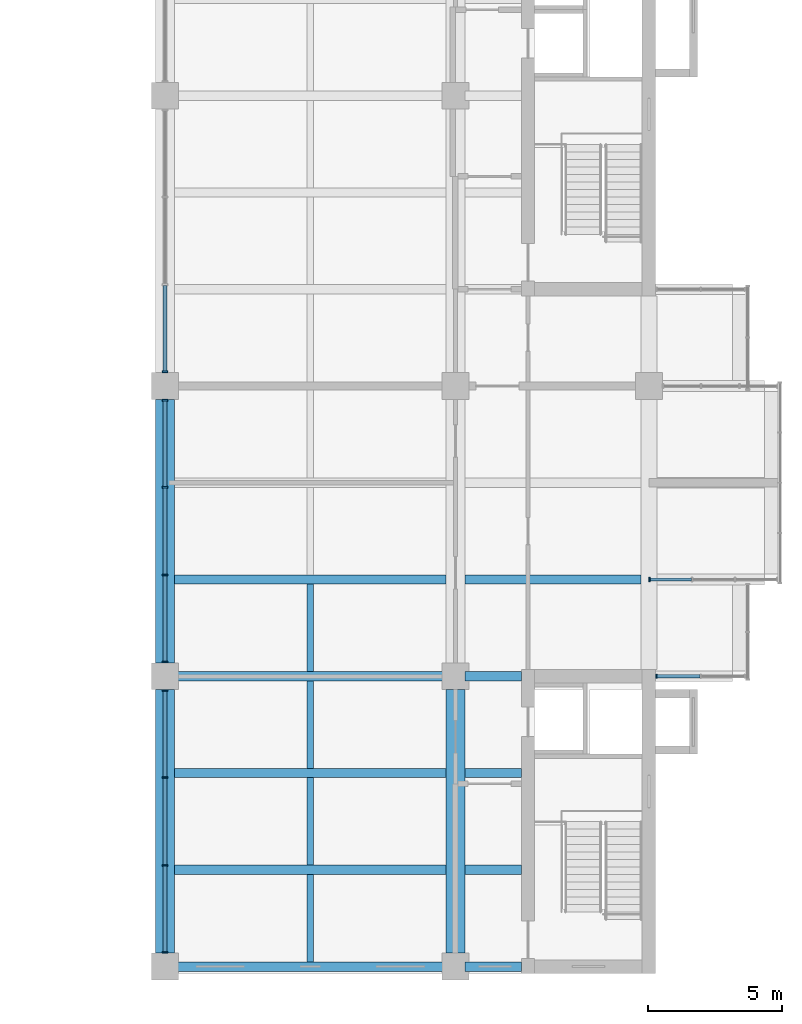
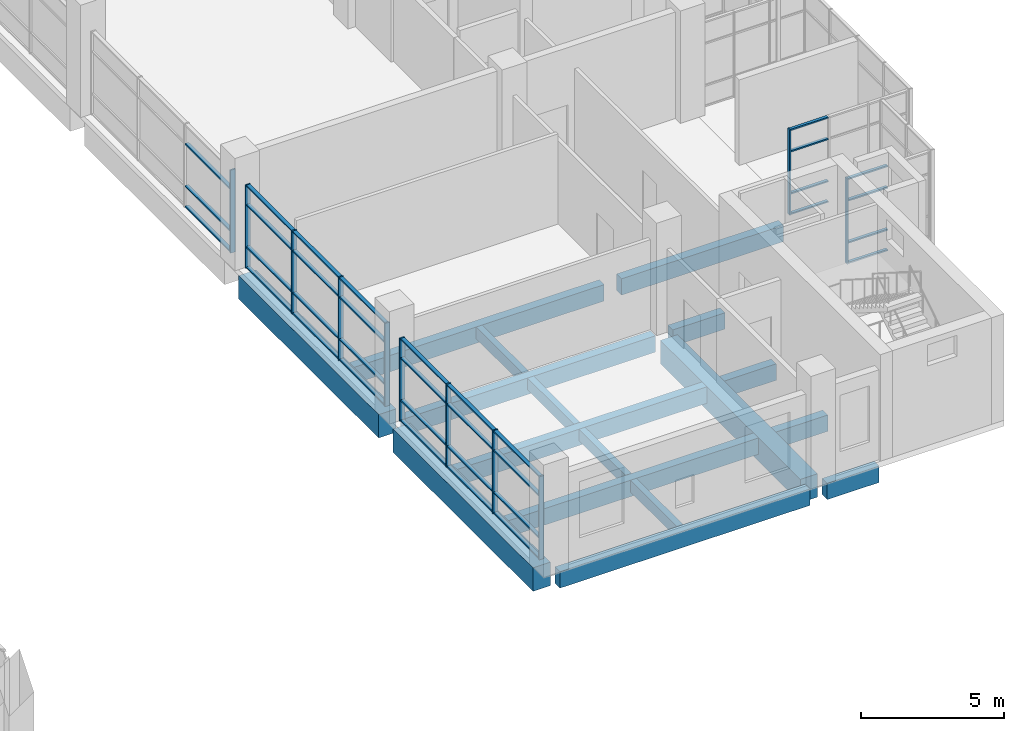
# One storey, part 5 of 30: 46 members, 17 beams, 5 elements without a shape of their own.
"""IFC4 building model written with IfcOpenShell, lengths in metres."""

from ifc_helpers import new_model, si_unit, direction, frame, origin, origin_2d, place, context, subcontext, project, spatial, rectangle, extrude, material, layer, layer_set, material_profile, profile_set, type_object, element, aggregate, save


model = new_model("IFC4")

# Units and contexts
model_context = context("Model", 3, precision=1e-05, world=origin(), true_north=direction((0.0, 1.0)))
body_context = subcontext(model_context, "Body", "Model", "MODEL_VIEW")
ifc_project = project(units=[si_unit("LENGTHUNIT", "METRE"), si_unit("AREAUNIT", "SQUARE_METRE"), si_unit("VOLUMEUNIT", "CUBIC_METRE"), si_unit("PLANEANGLEUNIT", "RADIAN"), si_unit("MASSUNIT", "GRAM", prefix="KILO")], contexts=[model_context])

# Site, building, storey
site_placement = place(None, origin())
site = spatial("IfcSite", under=ifc_project, at=site_placement, CompositionType="ELEMENT")
building_placement = place(site_placement, origin())
building = spatial("IfcBuilding", under=site, at=building_placement, Name="Basin Gate Institute", CompositionType="ELEMENT")
storey_placement = place(building_placement, frame((0.0, 0.0, 36.60009765625)))
storey = spatial("IfcBuildingStorey", under=building, at=storey_placement, Name="L07", CompositionType="ELEMENT", Elevation=36.60009765625)

# Beams
ifc_material_1 = material(Name="Concrete 40 MPa", Category="concrete")
ifc_material_profile_1 = material_profile(ifc_material_1, rectangle(XDim=0.35009765625, YDim=0.699951171875, at=origin_2d()), Name="Beam B1 350 x 700")
ifc_profile_set_1 = profile_set([ifc_material_profile_1], Name="Concrete 40 MPa")
beam_type_1 = type_object("IfcBeamType", Name="Beam B1 R120", PredefinedType="BEAM", material=ifc_profile_set_1)
beam_1_placement = place(storey_placement, frame((111.25, 35.10009765625, -0.60009765625), z_axis=(-1.0, 0.0, 0.0), x_axis=(0.0, -1.0, 0.0)))
element("IfcBeam", 1, at=beam_1_placement, inside=storey, type_object=beam_type_1, material=ifc_profile_set_1, Name="BEAM/L07/E/EW/01", PredefinedType="BEAM", context=body_context, shape_type="SweptSolid", body=[
    extrude(rectangle(XDim=0.35009765625, YDim=0.699951171875, at=origin_2d()), origin(), (0.0, 0.0, 1.0), 10.10009765625),
])
beam_2_placement = place(storey_placement, frame((114.050048828125, 35.10009765625, -0.60009765625), z_axis=(-1.0, 0.0, 0.0), x_axis=(0.0, -1.0, 0.0)))
element("IfcBeam", 2, at=beam_2_placement, inside=storey, type_object=beam_type_1, material=ifc_profile_set_1, Name="BEAM/L07/E/CORR/01", PredefinedType="BEAM", context=body_context, shape_type="SweptSolid", body=[
    extrude(rectangle(XDim=0.35009765625, YDim=0.699951171875, at=origin_2d()), origin(), (0.0, 0.0, 1.0), 2.10009765625),
])
beam_3_placement = place(storey_placement, frame((111.25, 38.699951171875, -0.60009765625), z_axis=(-1.0, 0.0, 0.0), x_axis=(0.0, -1.0, 0.0)))
element("IfcBeam", 3, at=beam_3_placement, inside=storey, type_object=beam_type_1, material=ifc_profile_set_1, Name="BEAM/L07/E/EW/02", PredefinedType="BEAM", context=body_context, shape_type="SweptSolid", body=[
    extrude(rectangle(XDim=0.35009765625, YDim=0.699951171875, at=origin_2d()), origin(), (0.0, 0.0, 1.0), 10.10009765625),
])
beam_4_placement = place(storey_placement, frame((114.050048828125, 38.699951171875, -0.60009765625), z_axis=(-1.0, 0.0, 0.0), x_axis=(0.0, -1.0, 0.0)))
element("IfcBeam", 4, at=beam_4_placement, inside=storey, type_object=beam_type_1, material=ifc_profile_set_1, Name="BEAM/L07/E/CORR/02", PredefinedType="BEAM", context=body_context, shape_type="SweptSolid", body=[
    extrude(rectangle(XDim=0.35009765625, YDim=0.699951171875, at=origin_2d()), origin(), (0.0, 0.0, 1.0), 2.10009765625),
])
beam_5_placement = place(storey_placement, frame((111.25, 42.300048828125, -0.60009765625), z_axis=(-1.0, 0.0, 0.0), x_axis=(0.0, -1.0, 0.0)))
element("IfcBeam", 5, at=beam_5_placement, inside=storey, type_object=beam_type_1, material=ifc_profile_set_1, Name="BEAM/L07/E/EW/03", PredefinedType="BEAM", context=body_context, shape_type="SweptSolid", body=[
    extrude(rectangle(XDim=0.35009765625, YDim=0.699951171875, at=origin_2d()), origin(), (0.0, 0.0, 1.0), 10.10009765625),
])
beam_6_placement = place(storey_placement, frame((114.050048828125, 42.300048828125, -0.60009765625), z_axis=(-1.0, 0.0, 0.0), x_axis=(0.0, -1.0, 0.0)))
element("IfcBeam", 6, at=beam_6_placement, inside=storey, type_object=beam_type_1, material=ifc_profile_set_1, Name="BEAM/L07/E/CORR/03", PredefinedType="BEAM", context=body_context, shape_type="SweptSolid", body=[
    extrude(rectangle(XDim=0.35009765625, YDim=0.699951171875, at=origin_2d()), origin(), (0.0, 0.0, 1.0), 2.10009765625),
])
beam_7_placement = place(storey_placement, frame((111.25, 45.89990234375, -0.60009765625), z_axis=(-1.0, 0.0, 0.0), x_axis=(0.0, -1.0, 0.0)))
element("IfcBeam", 7, at=beam_7_placement, inside=storey, type_object=beam_type_1, material=ifc_profile_set_1, Name="BEAM/L07/E/EW/04", PredefinedType="BEAM", context=body_context, shape_type="SweptSolid", body=[
    extrude(rectangle(XDim=0.35009765625, YDim=0.699951171875, at=origin_2d()), origin(), (0.0, 0.0, 1.0), 10.10009765625),
])
beam_8_placement = place(storey_placement, frame((114.050048828125, 45.89990234375, -0.60009765625), z_axis=(-1.0, 0.0, 0.0), x_axis=(0.0, -1.0, 0.0)))
element("IfcBeam", 8, at=beam_8_placement, inside=storey, type_object=beam_type_1, material=ifc_profile_set_1, Name="BEAM/L07/E/CORR/04", PredefinedType="BEAM", context=body_context, shape_type="SweptSolid", body=[
    extrude(rectangle(XDim=0.35009765625, YDim=0.699951171875, at=origin_2d()), origin(), (0.0, 0.0, 1.0), 2.10009765625),
])
beam_9_placement = place(storey_placement, frame((111.25, 49.5, -0.60009765625), z_axis=(-1.0, 0.0, 0.0), x_axis=(0.0, -1.0, 0.0)))
element("IfcBeam", 9, at=beam_9_placement, inside=storey, type_object=beam_type_1, material=ifc_profile_set_1, Name="BEAM/L07/E/EW/05", PredefinedType="BEAM", context=body_context, shape_type="SweptSolid", body=[
    extrude(rectangle(XDim=0.35009765625, YDim=0.699951171875, at=origin_2d()), origin(), (0.0, 0.0, 1.0), 10.10009765625),
])
beam_10_placement = place(storey_placement, frame((118.5, 49.5, -0.60009765625), z_axis=(-1.0, 0.0, 0.0), x_axis=(0.0, -1.0, 0.0)))
element("IfcBeam", 10, at=beam_10_placement, inside=storey, type_object=beam_type_1, material=ifc_profile_set_1, Name="BEAM/L07/E/OUT/05", PredefinedType="BEAM", context=body_context, shape_type="SweptSolid", body=[
    extrude(rectangle(XDim=0.35009765625, YDim=0.699951171875, at=origin_2d()), origin(), (0.0, 0.0, 1.0), 6.550048828125),
])
ifc_material_2 = material(Name="Concrete 50 MPa", Category="concrete")
ifc_material_profile_2 = material_profile(ifc_material_2, rectangle(XDim=0.699951171875, YDim=1.0, at=origin_2d()), Name="Girder G1 700 x 1000")
ifc_profile_set_2 = profile_set([ifc_material_profile_2], Name="Concrete 50 MPa")
beam_type_2 = type_object("IfcBeamType", Name="Girder G1 R120", PredefinedType="BEAM", material=ifc_profile_set_2)
for number, where, z_axis, x_axis, name in (
    (11, (111.60009765625, 35.60009765625, -0.75), (0.0, 1.0, 0.0), (-1.0, 0.0, 0.0), "GIR/L07/E8/1"),
    (12, (100.800048828125, 35.60009765625, -0.75), (0.0, 1.0, 0.0), (-1.0, 0.0, 0.0), "GIR/L07/E7/1"),
):
    element("IfcBeam", number, at=place(storey_placement, frame(where, z_axis=z_axis, x_axis=x_axis)), inside=storey, type_object=beam_type_2, material=ifc_profile_set_2, Name=name, PredefinedType="BEAM", context=body_context, shape_type="SweptSolid", body=[
        extrude(rectangle(XDim=0.699951171875, YDim=1.0, at=origin_2d()), origin(), (0.0, 0.0, 1.0), 9.7998046875),
    ])
beam_11_placement = place(storey_placement, frame((100.800048828125, 46.39990234375, -0.75), z_axis=(0.0, 1.0, 0.0), x_axis=(-1.0, 0.0, 0.0)))
element("IfcBeam", 13, at=beam_11_placement, inside=storey, type_object=beam_type_2, material=ifc_profile_set_2, Name="GIR/L07/E7/2", PredefinedType="BEAM", context=body_context, shape_type="SweptSolid", body=[
    extrude(rectangle(XDim=0.699951171875, YDim=1.0, at=origin_2d()), origin(), (0.0, 0.0, 1.0), 9.800048828125),
])

# Curtain wall, member
ifc_material_3 = material(Name="Aluminium-framed glazing", Category="aluminium")
ifc_layer_1 = layer(ifc_material_3, 0.14990234375)
ifc_layer_set_1 = layer_set([ifc_layer_1], Name="Capsule front curtain wall CW1")
curtain_wall_type_1 = type_object("IfcCurtainWallType", Name="Capsule front curtain wall CW1", PredefinedType="NOTDEFINED", material=ifc_layer_set_1)
curtain_wall_1_placement = place(storey_placement, origin())
curtain_wall_1 = element("IfcCurtainWall", 14, at=curtain_wall_1_placement, inside=storey, type_object=curtain_wall_type_1, material=ifc_layer_set_1, Name="Capsule front curtain wall E wing capsule end L07 line 4", PredefinedType="NOTDEFINED")
ifc_material_4 = material(Name="Aluminium", Category="aluminium")
ifc_material_profile_3 = material_profile(ifc_material_4, rectangle(XDim=0.14990234375, YDim=0.050048828125, at=origin_2d()), Name="Mullion MU1 150 x 50")
ifc_profile_set_3 = profile_set([ifc_material_profile_3], Name="Aluminium")
member_type_1 = type_object("IfcMemberType", Name="Mullion MU1", PredefinedType="MULLION", material=ifc_profile_set_3)
member_1_placement = place(storey_placement, frame((119.074951171875, 45.89990234375, 0.0), z_axis=(0.0, 0.0, 1.0), x_axis=(0.0, -1.0, 0.0)))
member_1 = element("IfcMember", 15, at=member_1_placement, type_object=member_type_1, material=ifc_profile_set_3, Name="CW1 mullion 3", PredefinedType="MULLION", context=body_context, shape_type="SweptSolid", body=[
    extrude(rectangle(XDim=0.14990234375, YDim=0.050048828125, at=origin_2d()), origin(), (0.0, 0.0, 1.0), 3.64990234375),
])

curtain_wall_2_placement = place(storey_placement, origin())
curtain_wall_2 = element("IfcCurtainWall", 16, at=curtain_wall_2_placement, inside=storey, type_object=curtain_wall_type_1, material=ifc_layer_set_1, Name="Capsule front curtain wall E wing capsule end L07 line 5", PredefinedType="NOTDEFINED")
member_2_placement = place(storey_placement, frame((118.824951171875, 49.5, 0.0), z_axis=(0.0, 0.0, 1.0), x_axis=(0.0, -1.0, 0.0)))
member_2 = element("IfcMember", 17, at=member_2_placement, type_object=member_type_1, material=ifc_profile_set_3, Name="CW1 mullion 4", PredefinedType="MULLION", context=body_context, shape_type="SweptSolid", body=[
    extrude(rectangle(XDim=0.14990234375, YDim=0.050048828125, at=origin_2d()), origin(), (0.0, 0.0, 1.0), 3.64990234375),
])

# Curtain wall, members
ifc_material_5 = material(Name="Aluminium-framed glazing", Category="aluminium")
ifc_layer_2 = layer(ifc_material_5, 0.199951171875)
ifc_layer_set_2 = layer_set([ifc_layer_2], Name="Atrium curtain wall CW2")
curtain_wall_type_2 = type_object("IfcCurtainWallType", Name="Atrium curtain wall CW2", PredefinedType="NOTDEFINED", material=ifc_layer_set_2)
curtain_wall_3_placement = place(storey_placement, origin())
curtain_wall_3 = element("IfcCurtainWall", 18, at=curtain_wall_3_placement, inside=storey, type_object=curtain_wall_type_2, material=ifc_layer_set_2, Name="Atrium curtain wall E wing atrium bay 1 L07", PredefinedType="NOTDEFINED")
ifc_material_6 = material(Name="Aluminium", Category="aluminium")
ifc_material_profile_4 = material_profile(ifc_material_6, rectangle(XDim=0.199951171875, YDim=0.06005859375, at=origin_2d()), Name="Mullion MU2 200 x 60")
ifc_profile_set_4 = profile_set([ifc_material_profile_4], Name="Aluminium")
member_type_2 = type_object("IfcMemberType", Name="Mullion MU2", PredefinedType="MULLION", material=ifc_profile_set_4)
member_3_placement = place(storey_placement, frame((100.800048828125, 35.6298828125, 0.0), z_axis=(0.0, 0.0, 1.0), x_axis=(-1.0, 0.0, 0.0)))
member_3 = element("IfcMember", 19, at=member_3_placement, type_object=member_type_2, material=ifc_profile_set_4, Name="CW2 mullion 1", PredefinedType="MULLION", context=body_context, shape_type="SweptSolid", body=[
    extrude(rectangle(XDim=0.199951171875, YDim=0.06005859375, at=origin_2d()), origin(), (0.0, 0.0, 1.0), 3.5498046875),
])
member_4_placement = place(storey_placement, frame((100.800048828125, 38.86669921875, 0.0), z_axis=(0.0, 0.0, 1.0), x_axis=(-1.0, 0.0, 0.0)))
member_4 = element("IfcMember", 20, at=member_4_placement, type_object=member_type_2, material=ifc_profile_set_4, Name="CW2 mullion 2", PredefinedType="MULLION", context=body_context, shape_type="SweptSolid", body=[
    extrude(rectangle(XDim=0.199951171875, YDim=0.06005859375, at=origin_2d()), origin(), (0.0, 0.0, 1.0), 3.5498046875),
])
member_5_placement = place(storey_placement, frame((100.800048828125, 42.13330078125, 0.0), z_axis=(0.0, 0.0, 1.0), x_axis=(-1.0, 0.0, 0.0)))
member_5 = element("IfcMember", 21, at=member_5_placement, type_object=member_type_2, material=ifc_profile_set_4, Name="CW2 mullion 3", PredefinedType="MULLION", context=body_context, shape_type="SweptSolid", body=[
    extrude(rectangle(XDim=0.199951171875, YDim=0.06005859375, at=origin_2d()), origin(), (0.0, 0.0, 1.0), 3.5498046875),
])
member_6_placement = place(storey_placement, frame((100.800048828125, 45.3701171875, 0.0), z_axis=(0.0, 0.0, 1.0), x_axis=(-1.0, 0.0, 0.0)))
member_6 = element("IfcMember", 22, at=member_6_placement, type_object=member_type_2, material=ifc_profile_set_4, Name="CW2 mullion 4", PredefinedType="MULLION", context=body_context, shape_type="SweptSolid", body=[
    extrude(rectangle(XDim=0.199951171875, YDim=0.06005859375, at=origin_2d()), origin(), (0.0, 0.0, 1.0), 3.5498046875),
])

curtain_wall_4_placement = place(storey_placement, origin())
curtain_wall_4 = element("IfcCurtainWall", 23, at=curtain_wall_4_placement, inside=storey, type_object=curtain_wall_type_2, material=ifc_layer_set_2, Name="Atrium curtain wall E wing atrium bay 2 L07", PredefinedType="NOTDEFINED")
member_7_placement = place(storey_placement, frame((100.800048828125, 46.429931640625, 0.0), z_axis=(0.0, 0.0, 1.0), x_axis=(-1.0, 0.0, 0.0)))
member_7 = element("IfcMember", 24, at=member_7_placement, type_object=member_type_2, material=ifc_profile_set_4, Name="CW2 mullion 1", PredefinedType="MULLION", context=body_context, shape_type="SweptSolid", body=[
    extrude(rectangle(XDim=0.199951171875, YDim=0.06005859375, at=origin_2d()), origin(), (0.0, 0.0, 1.0), 3.5498046875),
])
member_8_placement = place(storey_placement, frame((100.800048828125, 49.666748046875, 0.0), z_axis=(0.0, 0.0, 1.0), x_axis=(-1.0, 0.0, 0.0)))
member_8 = element("IfcMember", 25, at=member_8_placement, type_object=member_type_2, material=ifc_profile_set_4, Name="CW2 mullion 2", PredefinedType="MULLION", context=body_context, shape_type="SweptSolid", body=[
    extrude(rectangle(XDim=0.199951171875, YDim=0.06005859375, at=origin_2d()), origin(), (0.0, 0.0, 1.0), 3.5498046875),
])
member_9_placement = place(storey_placement, frame((100.800048828125, 52.933349609375, 0.0), z_axis=(0.0, 0.0, 1.0), x_axis=(-1.0, 0.0, 0.0)))
member_9 = element("IfcMember", 26, at=member_9_placement, type_object=member_type_2, material=ifc_profile_set_4, Name="CW2 mullion 3", PredefinedType="MULLION", context=body_context, shape_type="SweptSolid", body=[
    extrude(rectangle(XDim=0.199951171875, YDim=0.06005859375, at=origin_2d()), origin(), (0.0, 0.0, 1.0), 3.5498046875),
])
member_10_placement = place(storey_placement, frame((100.800048828125, 56.169921875, 0.0), z_axis=(0.0, 0.0, 1.0), x_axis=(-1.0, 0.0, 0.0)))
member_10 = element("IfcMember", 27, at=member_10_placement, type_object=member_type_2, material=ifc_profile_set_4, Name="CW2 mullion 4", PredefinedType="MULLION", context=body_context, shape_type="SweptSolid", body=[
    extrude(rectangle(XDim=0.199951171875, YDim=0.06005859375, at=origin_2d()), origin(), (0.0, 0.0, 1.0), 3.5498046875),
])

# Curtain wall, member
curtain_wall_5_placement = place(storey_placement, origin())
curtain_wall_5 = element("IfcCurtainWall", 28, at=curtain_wall_5_placement, inside=storey, type_object=curtain_wall_type_2, material=ifc_layer_set_2, Name="Atrium curtain wall E wing atrium bay 3 L07", PredefinedType="NOTDEFINED")
member_11_placement = place(storey_placement, frame((100.800048828125, 57.22998046875, 0.0), z_axis=(0.0, 0.0, 1.0), x_axis=(-1.0, 0.0, 0.0)))
member_11 = element("IfcMember", 29, at=member_11_placement, type_object=member_type_2, material=ifc_profile_set_4, Name="CW2 mullion 1", PredefinedType="MULLION", context=body_context, shape_type="SweptSolid", body=[
    extrude(rectangle(XDim=0.199951171875, YDim=0.06005859375, at=origin_2d()), origin(), (0.0, 0.0, 1.0), 3.5498046875),
])

# Beams
ifc_material_7 = material(Name="Concrete 40 MPa", Category="concrete")
ifc_material_profile_5 = material_profile(ifc_material_7, rectangle(XDim=0.25, YDim=0.5, at=origin_2d()), Name="Rib R1 250 x 500")
ifc_profile_set_5 = profile_set([ifc_material_profile_5], Name="Concrete 40 MPa")
beam_type_3 = type_object("IfcBeamType", Name="Rib R1 R120", PredefinedType="JOIST", material=ifc_profile_set_5)
for number, where, z_axis, x_axis, name in (
    (30, (106.199951171875, 35.27490234375, -0.5), (0.0, 1.0, 0.0), (-1.0, 0.0, 0.0), "BEAM/L07/E/RIB/01"),
    (31, (106.199951171875, 38.875, -0.5), (0.0, 1.0, 0.0), (-1.0, 0.0, 0.0), "BEAM/L07/E/RIB/02"),
    (32, (106.199951171875, 42.47509765625, -0.5), (0.0, 1.0, 0.0), (-1.0, 0.0, 0.0), "BEAM/L07/E/RIB/03"),
    (33, (106.199951171875, 46.074951171875, -0.5), (0.0, 1.0, 0.0), (-1.0, 0.0, 0.0), "BEAM/L07/E/RIB/04"),
):
    element("IfcBeam", number, at=place(storey_placement, frame(where, z_axis=z_axis, x_axis=x_axis)), inside=storey, type_object=beam_type_3, material=ifc_profile_set_5, Name=name, PredefinedType="JOIST", context=body_context, shape_type="SweptSolid", body=[
        extrude(rectangle(XDim=0.25, YDim=0.5, at=origin_2d()), origin(), (0.0, 0.0, 1.0), 3.25),
    ])

# Member
ifc_material_8 = material(Name="Aluminium", Category="aluminium")
ifc_material_profile_6 = material_profile(ifc_material_8, rectangle(XDim=0.1201171875, YDim=0.06005859375, at=origin_2d()), Name="Transom TR1 120 x 60")
ifc_profile_set_6 = profile_set([ifc_material_profile_6], Name="Aluminium")
member_type_3 = type_object("IfcMemberType", Name="Transom TR1", PredefinedType="USERDEFINED", material=ifc_profile_set_6)
member_12_placement = place(storey_placement, frame((120.699951171875, 45.89990234375, 0.02978515625), z_axis=(-1.0, 0.0, 0.0), x_axis=(0.0, -1.0, 0.0)))
member_12 = element("IfcMember", 34, at=member_12_placement, type_object=member_type_3, material=ifc_profile_set_6, Name="CW1 transom 2.1", ObjectType="TRANSOM", PredefinedType="USERDEFINED", context=body_context, shape_type="SweptSolid", body=[
    extrude(rectangle(XDim=0.1201171875, YDim=0.06005859375, at=origin_2d()), origin(), (0.0, 0.0, 1.0), 1.599853515625),
])

member_13_placement = place(storey_placement, frame((120.699951171875, 45.89990234375, 0.89990234375), z_axis=(-1.0, 0.0, 0.0), x_axis=(0.0, -1.0, 0.0)))
member_13 = element("IfcMember", 35, at=member_13_placement, type_object=member_type_3, material=ifc_profile_set_6, Name="CW1 transom 2.2", ObjectType="TRANSOM", PredefinedType="USERDEFINED", context=body_context, shape_type="SweptSolid", body=[
    extrude(rectangle(XDim=0.1201171875, YDim=0.06005859375, at=origin_2d()), origin(), (0.0, 0.0, 1.0), 1.599853515625),
])

member_14_placement = place(storey_placement, frame((120.699951171875, 45.89990234375, 2.699951171875), z_axis=(-1.0, 0.0, 0.0), x_axis=(0.0, -1.0, 0.0)))
member_14 = element("IfcMember", 36, at=member_14_placement, type_object=member_type_3, material=ifc_profile_set_6, Name="CW1 transom 2.3", ObjectType="TRANSOM", PredefinedType="USERDEFINED", context=body_context, shape_type="SweptSolid", body=[
    extrude(rectangle(XDim=0.1201171875, YDim=0.06005859375, at=origin_2d()), origin(), (0.0, 0.0, 1.0), 1.599853515625),
])

member_15_placement = place(storey_placement, frame((120.699951171875, 45.89990234375, 3.619873046875), z_axis=(-1.0, 0.0, 0.0), x_axis=(0.0, -1.0, 0.0)))
member_15 = element("IfcMember", 37, at=member_15_placement, type_object=member_type_3, material=ifc_profile_set_6, Name="CW1 transom 2.4", ObjectType="TRANSOM", PredefinedType="USERDEFINED", context=body_context, shape_type="SweptSolid", body=[
    extrude(rectangle(XDim=0.1201171875, YDim=0.06005859375, at=origin_2d()), origin(), (0.0, 0.0, 1.0), 1.599853515625),
])

aggregate(curtain_wall_1, [member_1, member_12, member_13, member_14, member_15])

member_16_placement = place(storey_placement, frame((120.375, 49.5, 0.02978515625), z_axis=(-1.0, 0.0, 0.0), x_axis=(0.0, -1.0, 0.0)))
member_16 = element("IfcMember", 38, at=member_16_placement, type_object=member_type_3, material=ifc_profile_set_6, Name="CW1 transom 3.1", ObjectType="TRANSOM", PredefinedType="USERDEFINED", context=body_context, shape_type="SweptSolid", body=[
    extrude(rectangle(XDim=0.1201171875, YDim=0.06005859375, at=origin_2d()), origin(), (0.0, 0.0, 1.0), 1.52490234375),
])

member_17_placement = place(storey_placement, frame((120.375, 49.5, 0.89990234375), z_axis=(-1.0, 0.0, 0.0), x_axis=(0.0, -1.0, 0.0)))
member_17 = element("IfcMember", 39, at=member_17_placement, type_object=member_type_3, material=ifc_profile_set_6, Name="CW1 transom 3.2", ObjectType="TRANSOM", PredefinedType="USERDEFINED", context=body_context, shape_type="SweptSolid", body=[
    extrude(rectangle(XDim=0.1201171875, YDim=0.06005859375, at=origin_2d()), origin(), (0.0, 0.0, 1.0), 1.52490234375),
])

member_18_placement = place(storey_placement, frame((120.375, 49.5, 2.699951171875), z_axis=(-1.0, 0.0, 0.0), x_axis=(0.0, -1.0, 0.0)))
member_18 = element("IfcMember", 40, at=member_18_placement, type_object=member_type_3, material=ifc_profile_set_6, Name="CW1 transom 3.3", ObjectType="TRANSOM", PredefinedType="USERDEFINED", context=body_context, shape_type="SweptSolid", body=[
    extrude(rectangle(XDim=0.1201171875, YDim=0.06005859375, at=origin_2d()), origin(), (0.0, 0.0, 1.0), 1.52490234375),
])

member_19_placement = place(storey_placement, frame((120.375, 49.5, 3.619873046875), z_axis=(-1.0, 0.0, 0.0), x_axis=(0.0, -1.0, 0.0)))
member_19 = element("IfcMember", 41, at=member_19_placement, type_object=member_type_3, material=ifc_profile_set_6, Name="CW1 transom 3.4", ObjectType="TRANSOM", PredefinedType="USERDEFINED", context=body_context, shape_type="SweptSolid", body=[
    extrude(rectangle(XDim=0.1201171875, YDim=0.06005859375, at=origin_2d()), origin(), (0.0, 0.0, 1.0), 1.52490234375),
])

aggregate(curtain_wall_2, [member_2, member_16, member_17, member_18, member_19])

ifc_material_9 = material(Name="Aluminium", Category="aluminium")
ifc_material_profile_7 = material_profile(ifc_material_9, rectangle(XDim=0.14990234375, YDim=0.06005859375, at=origin_2d()), Name="Transom TR2 150 x 60")
ifc_profile_set_7 = profile_set([ifc_material_profile_7], Name="Aluminium")
member_type_4 = type_object("IfcMemberType", Name="Transom TR2", PredefinedType="USERDEFINED", material=ifc_profile_set_7)
member_20_placement = place(storey_placement, frame((100.800048828125, 35.659912109375, 0.02978515625), z_axis=(0.0, 1.0, 0.0), x_axis=(-1.0, 0.0, 0.0)))
member_20 = element("IfcMember", 42, at=member_20_placement, type_object=member_type_4, material=ifc_profile_set_7, Name="CW2 transom 1.1", ObjectType="TRANSOM", PredefinedType="USERDEFINED", context=body_context, shape_type="SweptSolid", body=[
    extrude(rectangle(XDim=0.14990234375, YDim=0.06005859375, at=origin_2d()), origin(), (0.0, 0.0, 1.0), 3.1767578125),
])

member_21_placement = place(storey_placement, frame((100.800048828125, 35.659912109375, 0.89990234375), z_axis=(0.0, 1.0, 0.0), x_axis=(-1.0, 0.0, 0.0)))
member_21 = element("IfcMember", 43, at=member_21_placement, type_object=member_type_4, material=ifc_profile_set_7, Name="CW2 transom 1.2", ObjectType="TRANSOM", PredefinedType="USERDEFINED", context=body_context, shape_type="SweptSolid", body=[
    extrude(rectangle(XDim=0.14990234375, YDim=0.06005859375, at=origin_2d()), origin(), (0.0, 0.0, 1.0), 3.1767578125),
])

member_22_placement = place(storey_placement, frame((100.800048828125, 35.659912109375, 2.699951171875), z_axis=(0.0, 1.0, 0.0), x_axis=(-1.0, 0.0, 0.0)))
member_22 = element("IfcMember", 44, at=member_22_placement, type_object=member_type_4, material=ifc_profile_set_7, Name="CW2 transom 1.3", ObjectType="TRANSOM", PredefinedType="USERDEFINED", context=body_context, shape_type="SweptSolid", body=[
    extrude(rectangle(XDim=0.14990234375, YDim=0.06005859375, at=origin_2d()), origin(), (0.0, 0.0, 1.0), 3.1767578125),
])

member_23_placement = place(storey_placement, frame((100.800048828125, 35.659912109375, 3.52001953125), z_axis=(0.0, 1.0, 0.0), x_axis=(-1.0, 0.0, 0.0)))
member_23 = element("IfcMember", 45, at=member_23_placement, type_object=member_type_4, material=ifc_profile_set_7, Name="CW2 transom 1.4", ObjectType="TRANSOM", PredefinedType="USERDEFINED", context=body_context, shape_type="SweptSolid", body=[
    extrude(rectangle(XDim=0.14990234375, YDim=0.06005859375, at=origin_2d()), origin(), (0.0, 0.0, 1.0), 3.1767578125),
])

member_24_placement = place(storey_placement, frame((100.800048828125, 38.896728515625, 0.02978515625), z_axis=(0.0, 1.0, 0.0), x_axis=(-1.0, 0.0, 0.0)))
member_24 = element("IfcMember", 46, at=member_24_placement, type_object=member_type_4, material=ifc_profile_set_7, Name="CW2 transom 2.1", ObjectType="TRANSOM", PredefinedType="USERDEFINED", context=body_context, shape_type="SweptSolid", body=[
    extrude(rectangle(XDim=0.14990234375, YDim=0.06005859375, at=origin_2d()), origin(), (0.0, 0.0, 1.0), 3.20654296875),
])

member_25_placement = place(storey_placement, frame((100.800048828125, 38.896728515625, 0.89990234375), z_axis=(0.0, 1.0, 0.0), x_axis=(-1.0, 0.0, 0.0)))
member_25 = element("IfcMember", 47, at=member_25_placement, type_object=member_type_4, material=ifc_profile_set_7, Name="CW2 transom 2.2", ObjectType="TRANSOM", PredefinedType="USERDEFINED", context=body_context, shape_type="SweptSolid", body=[
    extrude(rectangle(XDim=0.14990234375, YDim=0.06005859375, at=origin_2d()), origin(), (0.0, 0.0, 1.0), 3.20654296875),
])

member_26_placement = place(storey_placement, frame((100.800048828125, 38.896728515625, 2.699951171875), z_axis=(0.0, 1.0, 0.0), x_axis=(-1.0, 0.0, 0.0)))
member_26 = element("IfcMember", 48, at=member_26_placement, type_object=member_type_4, material=ifc_profile_set_7, Name="CW2 transom 2.3", ObjectType="TRANSOM", PredefinedType="USERDEFINED", context=body_context, shape_type="SweptSolid", body=[
    extrude(rectangle(XDim=0.14990234375, YDim=0.06005859375, at=origin_2d()), origin(), (0.0, 0.0, 1.0), 3.20654296875),
])

member_27_placement = place(storey_placement, frame((100.800048828125, 38.896728515625, 3.52001953125), z_axis=(0.0, 1.0, 0.0), x_axis=(-1.0, 0.0, 0.0)))
member_27 = element("IfcMember", 49, at=member_27_placement, type_object=member_type_4, material=ifc_profile_set_7, Name="CW2 transom 2.4", ObjectType="TRANSOM", PredefinedType="USERDEFINED", context=body_context, shape_type="SweptSolid", body=[
    extrude(rectangle(XDim=0.14990234375, YDim=0.06005859375, at=origin_2d()), origin(), (0.0, 0.0, 1.0), 3.20654296875),
])

member_28_placement = place(storey_placement, frame((100.800048828125, 42.163330078125, 0.02978515625), z_axis=(0.0, 1.0, 0.0), x_axis=(-1.0, 0.0, 0.0)))
member_28 = element("IfcMember", 50, at=member_28_placement, type_object=member_type_4, material=ifc_profile_set_7, Name="CW2 transom 3.1", ObjectType="TRANSOM", PredefinedType="USERDEFINED", context=body_context, shape_type="SweptSolid", body=[
    extrude(rectangle(XDim=0.14990234375, YDim=0.06005859375, at=origin_2d()), origin(), (0.0, 0.0, 1.0), 3.1767578125),
])

member_29_placement = place(storey_placement, frame((100.800048828125, 42.163330078125, 0.89990234375), z_axis=(0.0, 1.0, 0.0), x_axis=(-1.0, 0.0, 0.0)))
member_29 = element("IfcMember", 51, at=member_29_placement, type_object=member_type_4, material=ifc_profile_set_7, Name="CW2 transom 3.2", ObjectType="TRANSOM", PredefinedType="USERDEFINED", context=body_context, shape_type="SweptSolid", body=[
    extrude(rectangle(XDim=0.14990234375, YDim=0.06005859375, at=origin_2d()), origin(), (0.0, 0.0, 1.0), 3.1767578125),
])

member_30_placement = place(storey_placement, frame((100.800048828125, 42.163330078125, 2.699951171875), z_axis=(0.0, 1.0, 0.0), x_axis=(-1.0, 0.0, 0.0)))
member_30 = element("IfcMember", 52, at=member_30_placement, type_object=member_type_4, material=ifc_profile_set_7, Name="CW2 transom 3.3", ObjectType="TRANSOM", PredefinedType="USERDEFINED", context=body_context, shape_type="SweptSolid", body=[
    extrude(rectangle(XDim=0.14990234375, YDim=0.06005859375, at=origin_2d()), origin(), (0.0, 0.0, 1.0), 3.1767578125),
])

member_31_placement = place(storey_placement, frame((100.800048828125, 42.163330078125, 3.52001953125), z_axis=(0.0, 1.0, 0.0), x_axis=(-1.0, 0.0, 0.0)))
member_31 = element("IfcMember", 53, at=member_31_placement, type_object=member_type_4, material=ifc_profile_set_7, Name="CW2 transom 3.4", ObjectType="TRANSOM", PredefinedType="USERDEFINED", context=body_context, shape_type="SweptSolid", body=[
    extrude(rectangle(XDim=0.14990234375, YDim=0.06005859375, at=origin_2d()), origin(), (0.0, 0.0, 1.0), 3.1767578125),
])

aggregate(curtain_wall_3, [member_3, member_4, member_5, member_6, member_20, member_21, member_22, member_23, member_24, member_25, member_26, member_27, member_28, member_29, member_30, member_31])

member_32_placement = place(storey_placement, frame((100.800048828125, 46.4599609375, 0.02978515625), z_axis=(0.0, 1.0, 0.0), x_axis=(-1.0, 0.0, 0.0)))
member_32 = element("IfcMember", 54, at=member_32_placement, type_object=member_type_4, material=ifc_profile_set_7, Name="CW2 transom 1.1", ObjectType="TRANSOM", PredefinedType="USERDEFINED", context=body_context, shape_type="SweptSolid", body=[
    extrude(rectangle(XDim=0.14990234375, YDim=0.06005859375, at=origin_2d()), origin(), (0.0, 0.0, 1.0), 3.1767578125),
])

member_33_placement = place(storey_placement, frame((100.800048828125, 46.4599609375, 0.89990234375), z_axis=(0.0, 1.0, 0.0), x_axis=(-1.0, 0.0, 0.0)))
member_33 = element("IfcMember", 55, at=member_33_placement, type_object=member_type_4, material=ifc_profile_set_7, Name="CW2 transom 1.2", ObjectType="TRANSOM", PredefinedType="USERDEFINED", context=body_context, shape_type="SweptSolid", body=[
    extrude(rectangle(XDim=0.14990234375, YDim=0.06005859375, at=origin_2d()), origin(), (0.0, 0.0, 1.0), 3.1767578125),
])

member_34_placement = place(storey_placement, frame((100.800048828125, 46.4599609375, 2.699951171875), z_axis=(0.0, 1.0, 0.0), x_axis=(-1.0, 0.0, 0.0)))
member_34 = element("IfcMember", 56, at=member_34_placement, type_object=member_type_4, material=ifc_profile_set_7, Name="CW2 transom 1.3", ObjectType="TRANSOM", PredefinedType="USERDEFINED", context=body_context, shape_type="SweptSolid", body=[
    extrude(rectangle(XDim=0.14990234375, YDim=0.06005859375, at=origin_2d()), origin(), (0.0, 0.0, 1.0), 3.1767578125),
])

member_35_placement = place(storey_placement, frame((100.800048828125, 46.4599609375, 3.52001953125), z_axis=(0.0, 1.0, 0.0), x_axis=(-1.0, 0.0, 0.0)))
member_35 = element("IfcMember", 57, at=member_35_placement, type_object=member_type_4, material=ifc_profile_set_7, Name="CW2 transom 1.4", ObjectType="TRANSOM", PredefinedType="USERDEFINED", context=body_context, shape_type="SweptSolid", body=[
    extrude(rectangle(XDim=0.14990234375, YDim=0.06005859375, at=origin_2d()), origin(), (0.0, 0.0, 1.0), 3.1767578125),
])

member_36_placement = place(storey_placement, frame((100.800048828125, 49.69677734375, 0.02978515625), z_axis=(0.0, 1.0, 0.0), x_axis=(-1.0, 0.0, 0.0)))
member_36 = element("IfcMember", 58, at=member_36_placement, type_object=member_type_4, material=ifc_profile_set_7, Name="CW2 transom 2.1", ObjectType="TRANSOM", PredefinedType="USERDEFINED", context=body_context, shape_type="SweptSolid", body=[
    extrude(rectangle(XDim=0.14990234375, YDim=0.06005859375, at=origin_2d()), origin(), (0.0, 0.0, 1.0), 3.20654296875),
])

member_37_placement = place(storey_placement, frame((100.800048828125, 49.69677734375, 0.89990234375), z_axis=(0.0, 1.0, 0.0), x_axis=(-1.0, 0.0, 0.0)))
member_37 = element("IfcMember", 59, at=member_37_placement, type_object=member_type_4, material=ifc_profile_set_7, Name="CW2 transom 2.2", ObjectType="TRANSOM", PredefinedType="USERDEFINED", context=body_context, shape_type="SweptSolid", body=[
    extrude(rectangle(XDim=0.14990234375, YDim=0.06005859375, at=origin_2d()), origin(), (0.0, 0.0, 1.0), 3.20654296875),
])

member_38_placement = place(storey_placement, frame((100.800048828125, 49.69677734375, 2.699951171875), z_axis=(0.0, 1.0, 0.0), x_axis=(-1.0, 0.0, 0.0)))
member_38 = element("IfcMember", 60, at=member_38_placement, type_object=member_type_4, material=ifc_profile_set_7, Name="CW2 transom 2.3", ObjectType="TRANSOM", PredefinedType="USERDEFINED", context=body_context, shape_type="SweptSolid", body=[
    extrude(rectangle(XDim=0.14990234375, YDim=0.06005859375, at=origin_2d()), origin(), (0.0, 0.0, 1.0), 3.20654296875),
])

member_39_placement = place(storey_placement, frame((100.800048828125, 49.69677734375, 3.52001953125), z_axis=(0.0, 1.0, 0.0), x_axis=(-1.0, 0.0, 0.0)))
member_39 = element("IfcMember", 61, at=member_39_placement, type_object=member_type_4, material=ifc_profile_set_7, Name="CW2 transom 2.4", ObjectType="TRANSOM", PredefinedType="USERDEFINED", context=body_context, shape_type="SweptSolid", body=[
    extrude(rectangle(XDim=0.14990234375, YDim=0.06005859375, at=origin_2d()), origin(), (0.0, 0.0, 1.0), 3.20654296875),
])

member_40_placement = place(storey_placement, frame((100.800048828125, 52.96337890625, 0.02978515625), z_axis=(0.0, 1.0, 0.0), x_axis=(-1.0, 0.0, 0.0)))
member_40 = element("IfcMember", 62, at=member_40_placement, type_object=member_type_4, material=ifc_profile_set_7, Name="CW2 transom 3.1", ObjectType="TRANSOM", PredefinedType="USERDEFINED", context=body_context, shape_type="SweptSolid", body=[
    extrude(rectangle(XDim=0.14990234375, YDim=0.06005859375, at=origin_2d()), origin(), (0.0, 0.0, 1.0), 3.176513671875),
])

member_41_placement = place(storey_placement, frame((100.800048828125, 52.96337890625, 0.89990234375), z_axis=(0.0, 1.0, 0.0), x_axis=(-1.0, 0.0, 0.0)))
member_41 = element("IfcMember", 63, at=member_41_placement, type_object=member_type_4, material=ifc_profile_set_7, Name="CW2 transom 3.2", ObjectType="TRANSOM", PredefinedType="USERDEFINED", context=body_context, shape_type="SweptSolid", body=[
    extrude(rectangle(XDim=0.14990234375, YDim=0.06005859375, at=origin_2d()), origin(), (0.0, 0.0, 1.0), 3.176513671875),
])

member_42_placement = place(storey_placement, frame((100.800048828125, 52.96337890625, 2.699951171875), z_axis=(0.0, 1.0, 0.0), x_axis=(-1.0, 0.0, 0.0)))
member_42 = element("IfcMember", 64, at=member_42_placement, type_object=member_type_4, material=ifc_profile_set_7, Name="CW2 transom 3.3", ObjectType="TRANSOM", PredefinedType="USERDEFINED", context=body_context, shape_type="SweptSolid", body=[
    extrude(rectangle(XDim=0.14990234375, YDim=0.06005859375, at=origin_2d()), origin(), (0.0, 0.0, 1.0), 3.176513671875),
])

member_43_placement = place(storey_placement, frame((100.800048828125, 52.96337890625, 3.52001953125), z_axis=(0.0, 1.0, 0.0), x_axis=(-1.0, 0.0, 0.0)))
member_43 = element("IfcMember", 65, at=member_43_placement, type_object=member_type_4, material=ifc_profile_set_7, Name="CW2 transom 3.4", ObjectType="TRANSOM", PredefinedType="USERDEFINED", context=body_context, shape_type="SweptSolid", body=[
    extrude(rectangle(XDim=0.14990234375, YDim=0.06005859375, at=origin_2d()), origin(), (0.0, 0.0, 1.0), 3.176513671875),
])

aggregate(curtain_wall_4, [member_7, member_8, member_9, member_10, member_32, member_33, member_34, member_35, member_36, member_37, member_38, member_39, member_40, member_41, member_42, member_43])

member_44_placement = place(storey_placement, frame((100.800048828125, 57.260009765625, 0.02978515625), z_axis=(0.0, 1.0, 0.0), x_axis=(-1.0, 0.0, 0.0)))
member_44 = element("IfcMember", 66, at=member_44_placement, type_object=member_type_4, material=ifc_profile_set_7, Name="CW2 transom 1.1", ObjectType="TRANSOM", PredefinedType="USERDEFINED", context=body_context, shape_type="SweptSolid", body=[
    extrude(rectangle(XDim=0.14990234375, YDim=0.06005859375, at=origin_2d()), origin(), (0.0, 0.0, 1.0), 3.1767578125),
])

member_45_placement = place(storey_placement, frame((100.800048828125, 57.260009765625, 0.89990234375), z_axis=(0.0, 1.0, 0.0), x_axis=(-1.0, 0.0, 0.0)))
member_45 = element("IfcMember", 67, at=member_45_placement, type_object=member_type_4, material=ifc_profile_set_7, Name="CW2 transom 1.2", ObjectType="TRANSOM", PredefinedType="USERDEFINED", context=body_context, shape_type="SweptSolid", body=[
    extrude(rectangle(XDim=0.14990234375, YDim=0.06005859375, at=origin_2d()), origin(), (0.0, 0.0, 1.0), 3.1767578125),
])

member_46_placement = place(storey_placement, frame((100.800048828125, 57.260009765625, 2.699951171875), z_axis=(0.0, 1.0, 0.0), x_axis=(-1.0, 0.0, 0.0)))
member_46 = element("IfcMember", 68, at=member_46_placement, type_object=member_type_4, material=ifc_profile_set_7, Name="CW2 transom 1.3", ObjectType="TRANSOM", PredefinedType="USERDEFINED", context=body_context, shape_type="SweptSolid", body=[
    extrude(rectangle(XDim=0.14990234375, YDim=0.06005859375, at=origin_2d()), origin(), (0.0, 0.0, 1.0), 3.1767578125),
])

aggregate(curtain_wall_5, [member_11, member_44, member_45, member_46])

save(model, "model.ifc")
